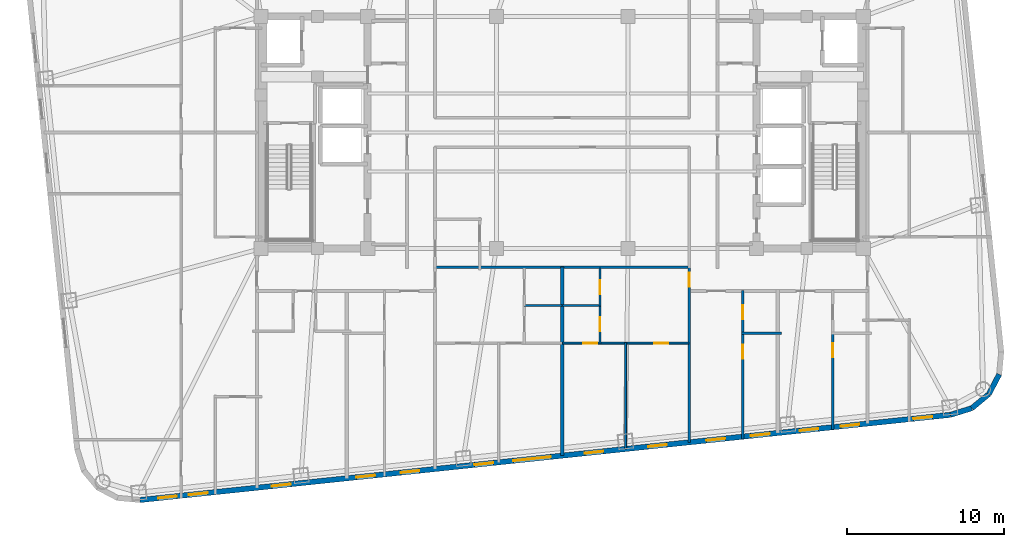
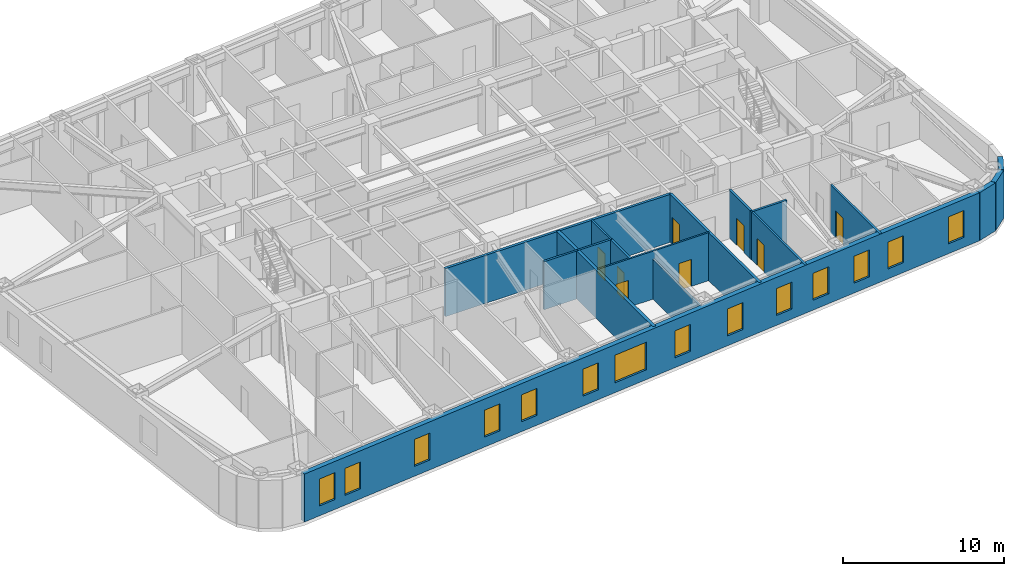
# One storey, part 5 of 12: 17 walls, 14 windows, 8 doors, 22 openings.
"""IFC4 building model written with IfcOpenShell, lengths in metres."""

from ifc_helpers import new_model, si_unit, direction, frame, frame_2d, origin, place, context, subcontext, project, spatial, rectangle, extrude, material, layer, layer_set, type_object, element, fill, save


model = new_model("IFC4")

# Units and contexts
model_context = context("Model", 3, precision=1e-05, world=origin(), true_north=direction((0.0, 1.0)))
body_context = subcontext(model_context, "Body", "Model", "MODEL_VIEW")
ifc_project = project(units=[si_unit("LENGTHUNIT", "METRE"), si_unit("AREAUNIT", "SQUARE_METRE"), si_unit("VOLUMEUNIT", "CUBIC_METRE"), si_unit("PLANEANGLEUNIT", "RADIAN"), si_unit("MASSUNIT", "GRAM", prefix="KILO")], contexts=[model_context])

# Site, building, storey
site_placement = place(None, origin())
site = spatial("IfcSite", under=ifc_project, at=site_placement, CompositionType="ELEMENT")
building_placement = place(site_placement, origin())
building = spatial("IfcBuilding", under=site, at=building_placement, Name="Voryun Gate Residences", CompositionType="ELEMENT")
storey_placement = place(building_placement, frame((0.0, 0.0, 179.39990234375)))
storey = spatial("IfcBuildingStorey", under=building, at=storey_placement, Name="L44", CompositionType="ELEMENT", Elevation=179.39990234375)

# Wall
ifc_material_1 = material(Name="Gypsum acoustic fireboard")
ifc_layer_1 = layer(ifc_material_1, 0.179931640625, Name="W_CORR_RATED_180")
ifc_layer_set_1 = layer_set([ifc_layer_1], Name="Gypsum acoustic fireboard")
wall_type_1 = type_object("IfcWallType", Name="W_CORR_RATED_180", PredefinedType="PARTITIONING", material=ifc_layer_set_1)
wall_1_placement = place(storey_placement, frame((-8.14990234375, -8.590087890625, 0.0), z_axis=(0.0, 0.0, 1.0), x_axis=(1.0, 0.0, 0.0)))
element("IfcWall", 1, at=wall_1_placement, inside=storey, type_object=wall_type_1, Name="Partition wall WP-L44-Z2S", PredefinedType="PARTITIONING", context=body_context, shape_type="SweptSolid", body=[
    extrude(rectangle(XDim=16.2998046875, YDim=0.179931640625, at=frame_2d((8.14990234375, 0.0))), origin(), (0.0, 0.0, 1.0), 3.650146484375),
])

# Wall, opening, door
wall_2_placement = place(storey_placement, frame((8.10009765625, -19.75390625, 0.0), z_axis=(0.0, 0.0, 1.0), x_axis=(0.0, 1.0, 0.0)))
wall_2 = element("IfcWall", 2, at=wall_2_placement, inside=storey, type_object=wall_type_1, Name="Partition wall WP-L44-SZV-2", PredefinedType="PARTITIONING", context=body_context, shape_type="SweptSolid", body=[
    extrude(rectangle(XDim=11.163818359375, YDim=0.179931640625, at=frame_2d((5.58203125, 0.0))), origin(), (0.0, 0.0, 1.0), 3.650146484375),
])
opening_1_placement = place(wall_2_placement, frame((9.913330078125, 0.0, 0.0)))
opening_1 = element("IfcOpeningElement", 3, at=opening_1_placement, cuts=wall_2, Name="Opening D-INT-2", PredefinedType="OPENING", context=body_context, shape_type="SweptSolid", body=[
    extrude(rectangle(XDim=0.89990234375, YDim=2.050048828125, at=frame_2d((0.449951171875, 1.02490234375))), frame((0.0, 0.099853515625, 0.0), z_axis=(0.0, -1.0, 0.0), x_axis=(1.0, 0.0, 0.0)), (0.0, 0.0, 1.0), 0.199951171875),
])
ifc_material_2 = material(Name="Architectural oak veneer")
door_type = type_object("IfcDoorType", Name="DR_INT_BATH_900", OperationType="NOTDEFINED", PredefinedType="DOOR", material=ifc_material_2)
door_1_placement = place(opening_1_placement, origin())
door_1 = element("IfcDoor", 4, at=door_1_placement, inside=storey, type_object=door_type, Name="Door DR-L44-SZENT-2", OperationType="SINGLE_SWING_RIGHT", OverallHeight=2.050048828125, OverallWidth=0.89990234375, PredefinedType="DOOR", context=body_context, shape_type="SweptSolid", body=[
    extrude(rectangle(XDim=0.89990234375, YDim=2.050048828125, at=frame_2d((0.449951171875, 1.02490234375))), frame((0.0, 0.02490234375, 0.0), z_axis=(0.0, -1.0, 0.0), x_axis=(1.0, 0.0, 0.0)), (0.0, 0.0, 1.0), 0.050048828125),
])
fill(opening_1, door_1)

# Wall, openings, windows
ifc_material_3 = material(Name="Charcoal terracotta masonry", Category="masonry")
ifc_layer_2 = layer(ifc_material_3, 0.340087890625, Name="W_EXT_TERRACOTTA_340")
ifc_layer_set_2 = layer_set([ifc_layer_2], Name="Charcoal terracotta masonry")
wall_type_2 = type_object("IfcWallType", Name="W_EXT_TERRACOTTA_340", PredefinedType="ELEMENTEDWALL", material=ifc_layer_set_2)
wall_3_placement = place(storey_placement, frame((24.755615234375, -18.003173828125, 0.0), z_axis=(0.0, 0.0, 1.0), x_axis=(-0.99452160744, -0.104531202687, 0.0)))
wall_3 = element("IfcWall", 5, at=wall_3_placement, inside=storey, type_object=wall_type_2, Name="Exterior wall WEXT-L44-01", PredefinedType="ELEMENTEDWALL", context=body_context, shape_type="SweptSolid", body=[
    extrude(rectangle(XDim=51.966552734375, YDim=0.340087890625, at=frame_2d((25.9833984375, 0.0))), origin(), (0.0, 0.0, 1.0), 3.650146484375),
])
opening_2_placement = place(wall_3_placement, frame((25.63330078125, 0.0, 0.75)))
opening_2 = element("IfcOpeningElement", 6, at=opening_2_placement, cuts=wall_3, Name="Opening WN2", PredefinedType="OPENING", context=body_context, shape_type="SweptSolid", body=[
    extrude(rectangle(XDim=2.39990234375, YDim=2.10009765625, at=frame_2d((1.199951171875, 1.050048828125))), frame((0.0, 0.179931640625, 0.0), z_axis=(0.0, -1.0, 0.0), x_axis=(1.0, 0.0, 0.0)), (0.0, 0.0, 1.0), 0.360107421875),
])
opening_3_placement = place(wall_3_placement, frame((42.301025390625, 0.0, 0.75)))
opening_3 = element("IfcOpeningElement", 7, at=opening_3_placement, cuts=wall_3, Name="Opening WN6", PredefinedType="OPENING", context=body_context, shape_type="SweptSolid", body=[
    extrude(rectangle(XDim=1.199951171875, YDim=2.050048828125, at=frame_2d((0.60009765625, 1.02490234375))), frame((0.0, 0.179931640625, 0.0), z_axis=(0.0, -1.0, 0.0), x_axis=(1.0, 0.0, 0.0)), (0.0, 0.0, 1.0), 0.360107421875),
])
opening_4_placement = place(wall_3_placement, frame((34.048583984375, 0.0, 0.75)))
opening_4 = element("IfcOpeningElement", 8, at=opening_4_placement, cuts=wall_3, Name="Opening WN6", PredefinedType="OPENING", context=body_context, shape_type="SweptSolid", body=[
    extrude(rectangle(XDim=1.199951171875, YDim=2.050048828125, at=frame_2d((0.60009765625, 1.02490234375))), frame((0.0, 0.179931640625, 0.0), z_axis=(0.0, -1.0, 0.0), x_axis=(1.0, 0.0, 0.0)), (0.0, 0.0, 1.0), 0.360107421875),
])
opening_5_placement = place(wall_3_placement, frame((36.89404296875, 0.0, 0.75)))
opening_5 = element("IfcOpeningElement", 9, at=opening_5_placement, cuts=wall_3, Name="Opening WN6", PredefinedType="OPENING", context=body_context, shape_type="SweptSolid", body=[
    extrude(rectangle(XDim=1.199951171875, YDim=2.050048828125, at=frame_2d((0.60009765625, 1.02490234375))), frame((0.0, 0.179931640625, 0.0), z_axis=(0.0, -1.0, 0.0), x_axis=(1.0, 0.0, 0.0)), (0.0, 0.0, 1.0), 0.360107421875),
])
opening_6_placement = place(wall_3_placement, frame((14.43603515625, 0.0, 0.75)))
opening_6 = element("IfcOpeningElement", 10, at=opening_6_placement, cuts=wall_3, Name="Opening WN6", PredefinedType="OPENING", context=body_context, shape_type="SweptSolid", body=[
    extrude(rectangle(XDim=1.199951171875, YDim=2.050048828125, at=frame_2d((0.60009765625, 1.02490234375))), frame((0.0, 0.179931640625, 0.0), z_axis=(0.0, -1.0, 0.0), x_axis=(1.0, 0.0, 0.0)), (0.0, 0.0, 1.0), 0.360107421875),
])
opening_7_placement = place(wall_3_placement, frame((11.590576171875, 0.0, 0.75)))
opening_7 = element("IfcOpeningElement", 11, at=opening_7_placement, cuts=wall_3, Name="Opening WN6", PredefinedType="OPENING", context=body_context, shape_type="SweptSolid", body=[
    extrude(rectangle(XDim=1.199951171875, YDim=2.050048828125, at=frame_2d((0.60009765625, 1.02490234375))), frame((0.0, 0.179931640625, 0.0), z_axis=(0.0, -1.0, 0.0), x_axis=(1.0, 0.0, 0.0)), (0.0, 0.0, 1.0), 0.360107421875),
])
opening_8_placement = place(wall_3_placement, frame((8.46923828125, 0.0, 0.75)))
opening_8 = element("IfcOpeningElement", 12, at=opening_8_placement, cuts=wall_3, Name="Opening WN6", PredefinedType="OPENING", context=body_context, shape_type="SweptSolid", body=[
    extrude(rectangle(XDim=1.199951171875, YDim=2.050048828125, at=frame_2d((0.60009765625, 1.02490234375))), frame((0.0, 0.179931640625, 0.0), z_axis=(0.0, -1.0, 0.0), x_axis=(1.0, 0.0, 0.0)), (0.0, 0.0, 1.0), 0.360107421875),
])
opening_9_placement = place(wall_3_placement, frame((5.83349609375, 0.0, 0.75)))
opening_9 = element("IfcOpeningElement", 13, at=opening_9_placement, cuts=wall_3, Name="Opening WN6", PredefinedType="OPENING", context=body_context, shape_type="SweptSolid", body=[
    extrude(rectangle(XDim=1.199951171875, YDim=2.050048828125, at=frame_2d((0.60009765625, 1.02490234375))), frame((0.0, 0.179931640625, 0.0), z_axis=(0.0, -1.0, 0.0), x_axis=(1.0, 0.0, 0.0)), (0.0, 0.0, 1.0), 0.360107421875),
])
opening_10_placement = place(wall_3_placement, frame((29.31298828125, 0.0, 0.75)))
opening_10 = element("IfcOpeningElement", 14, at=opening_10_placement, cuts=wall_3, Name="Opening WN6", PredefinedType="OPENING", context=body_context, shape_type="SweptSolid", body=[
    extrude(rectangle(XDim=1.199951171875, YDim=2.050048828125, at=frame_2d((0.60009765625, 1.02490234375))), frame((0.0, 0.179931640625, 0.0), z_axis=(0.0, -1.0, 0.0), x_axis=(1.0, 0.0, 0.0)), (0.0, 0.0, 1.0), 0.360107421875),
])
opening_11_placement = place(wall_3_placement, frame((22.248291015625, 0.0, 0.75)))
opening_11 = element("IfcOpeningElement", 15, at=opening_11_placement, cuts=wall_3, Name="Opening WN6", PredefinedType="OPENING", context=body_context, shape_type="SweptSolid", body=[
    extrude(rectangle(XDim=1.199951171875, YDim=2.050048828125, at=frame_2d((0.60009765625, 1.02490234375))), frame((0.0, 0.179931640625, 0.0), z_axis=(0.0, -1.0, 0.0), x_axis=(1.0, 0.0, 0.0)), (0.0, 0.0, 1.0), 0.360107421875),
])
opening_12_placement = place(wall_3_placement, frame((18.18603515625, 0.0, 0.75)))
opening_12 = element("IfcOpeningElement", 16, at=opening_12_placement, cuts=wall_3, Name="Opening WN6", PredefinedType="OPENING", context=body_context, shape_type="SweptSolid", body=[
    extrude(rectangle(XDim=1.199951171875, YDim=2.050048828125, at=frame_2d((0.60009765625, 1.02490234375))), frame((0.0, 0.179931640625, 0.0), z_axis=(0.0, -1.0, 0.0), x_axis=(1.0, 0.0, 0.0)), (0.0, 0.0, 1.0), 0.360107421875),
])
opening_13_placement = place(wall_3_placement, frame((47.62744140625, 0.0, 0.75)))
opening_13 = element("IfcOpeningElement", 17, at=opening_13_placement, cuts=wall_3, Name="Opening WN6", PredefinedType="OPENING", context=body_context, shape_type="SweptSolid", body=[
    extrude(rectangle(XDim=1.199951171875, YDim=2.050048828125, at=frame_2d((0.60009765625, 1.02490234375))), frame((0.0, 0.179931640625, 0.0), z_axis=(0.0, -1.0, 0.0), x_axis=(1.0, 0.0, 0.0)), (0.0, 0.0, 1.0), 0.360107421875),
])
opening_14_placement = place(wall_3_placement, frame((49.5986328125, 0.0, 0.75)))
opening_14 = element("IfcOpeningElement", 18, at=opening_14_placement, cuts=wall_3, Name="Opening WN6", PredefinedType="OPENING", context=body_context, shape_type="SweptSolid", body=[
    extrude(rectangle(XDim=1.199951171875, YDim=2.050048828125, at=frame_2d((0.60009765625, 1.02490234375))), frame((0.0, 0.179931640625, 0.0), z_axis=(0.0, -1.0, 0.0), x_axis=(1.0, 0.0, 0.0)), (0.0, 0.0, 1.0), 0.360107421875),
])
opening_15_placement = place(wall_3_placement, frame((1.170166015625, 0.0, 0.75)))
opening_15 = element("IfcOpeningElement", 19, at=opening_15_placement, cuts=wall_3, Name="Opening WN6", PredefinedType="OPENING", context=body_context, shape_type="SweptSolid", body=[
    extrude(rectangle(XDim=1.199951171875, YDim=2.050048828125, at=frame_2d((0.60009765625, 1.02490234375))), frame((0.0, 0.179931640625, 0.0), z_axis=(0.0, -1.0, 0.0), x_axis=(1.0, 0.0, 0.0)), (0.0, 0.0, 1.0), 0.360107421875),
])
ifc_material_4 = material(Name="Laminated low-E glass", Category="glass")
window_type_1 = type_object("IfcWindowType", Name="WN_POD_SLOT_1200", PartitioningType="SINGLE_PANEL", PredefinedType="WINDOW", material=ifc_material_4)
window_1_placement = place(opening_3_placement, origin())
window_1 = element("IfcWindow", 20, at=window_1_placement, inside=storey, type_object=window_type_1, Name="Window WN-L44-DWFIX-10", OverallHeight=2.050048828125, OverallWidth=1.199951171875, PartitioningType="SINGLE_PANEL", PredefinedType="WINDOW", context=body_context, shape_type="SweptSolid", body=[
    extrude(rectangle(XDim=1.199951171875, YDim=2.050048828125, at=frame_2d((0.60009765625, 1.02490234375))), frame((0.0, 0.030029296875, 0.0), z_axis=(0.0, -1.0, 0.0), x_axis=(1.0, 0.0, 0.0)), (0.0, 0.0, 1.0), 0.06005859375),
])
fill(opening_3, window_1)
window_2_placement = place(opening_4_placement, origin())
window_2 = element("IfcWindow", 21, at=window_2_placement, inside=storey, type_object=window_type_1, Name="Window WN-L44-DWFIX-11", OverallHeight=2.050048828125, OverallWidth=1.199951171875, PartitioningType="SINGLE_PANEL", PredefinedType="WINDOW", context=body_context, shape_type="SweptSolid", body=[
    extrude(rectangle(XDim=1.199951171875, YDim=2.050048828125, at=frame_2d((0.60009765625, 1.02490234375))), frame((0.0, 0.030029296875, 0.0), z_axis=(0.0, -1.0, 0.0), x_axis=(1.0, 0.0, 0.0)), (0.0, 0.0, 1.0), 0.06005859375),
])
fill(opening_4, window_2)
window_3_placement = place(opening_5_placement, origin())
window_3 = element("IfcWindow", 22, at=window_3_placement, inside=storey, type_object=window_type_1, Name="Window WN-L44-DWFIX-12", OverallHeight=2.050048828125, OverallWidth=1.199951171875, PartitioningType="SINGLE_PANEL", PredefinedType="WINDOW", context=body_context, shape_type="SweptSolid", body=[
    extrude(rectangle(XDim=1.199951171875, YDim=2.050048828125, at=frame_2d((0.60009765625, 1.02490234375))), frame((0.0, 0.030029296875, 0.0), z_axis=(0.0, -1.0, 0.0), x_axis=(1.0, 0.0, 0.0)), (0.0, 0.0, 1.0), 0.06005859375),
])
fill(opening_5, window_3)
window_4_placement = place(opening_6_placement, origin())
window_4 = element("IfcWindow", 23, at=window_4_placement, inside=storey, type_object=window_type_1, Name="Window WN-L44-DWFIX-13", OverallHeight=2.050048828125, OverallWidth=1.199951171875, PartitioningType="SINGLE_PANEL", PredefinedType="WINDOW", context=body_context, shape_type="SweptSolid", body=[
    extrude(rectangle(XDim=1.199951171875, YDim=2.050048828125, at=frame_2d((0.60009765625, 1.02490234375))), frame((0.0, 0.030029296875, 0.0), z_axis=(0.0, -1.0, 0.0), x_axis=(1.0, 0.0, 0.0)), (0.0, 0.0, 1.0), 0.06005859375),
])
fill(opening_6, window_4)
window_5_placement = place(opening_7_placement, origin())
window_5 = element("IfcWindow", 24, at=window_5_placement, inside=storey, type_object=window_type_1, Name="Window WN-L44-DWFIX-14", OverallHeight=2.050048828125, OverallWidth=1.199951171875, PartitioningType="SINGLE_PANEL", PredefinedType="WINDOW", context=body_context, shape_type="SweptSolid", body=[
    extrude(rectangle(XDim=1.199951171875, YDim=2.050048828125, at=frame_2d((0.60009765625, 1.02490234375))), frame((0.0, 0.030029296875, 0.0), z_axis=(0.0, -1.0, 0.0), x_axis=(1.0, 0.0, 0.0)), (0.0, 0.0, 1.0), 0.06005859375),
])
fill(opening_7, window_5)
window_6_placement = place(opening_8_placement, origin())
window_6 = element("IfcWindow", 25, at=window_6_placement, inside=storey, type_object=window_type_1, Name="Window WN-L44-DWFIX-15", OverallHeight=2.050048828125, OverallWidth=1.199951171875, PartitioningType="SINGLE_PANEL", PredefinedType="WINDOW", context=body_context, shape_type="SweptSolid", body=[
    extrude(rectangle(XDim=1.199951171875, YDim=2.050048828125, at=frame_2d((0.60009765625, 1.02490234375))), frame((0.0, 0.030029296875, 0.0), z_axis=(0.0, -1.0, 0.0), x_axis=(1.0, 0.0, 0.0)), (0.0, 0.0, 1.0), 0.06005859375),
])
fill(opening_8, window_6)
window_7_placement = place(opening_9_placement, origin())
window_7 = element("IfcWindow", 26, at=window_7_placement, inside=storey, type_object=window_type_1, Name="Window WN-L44-DWFIX-16", OverallHeight=2.050048828125, OverallWidth=1.199951171875, PartitioningType="SINGLE_PANEL", PredefinedType="WINDOW", context=body_context, shape_type="SweptSolid", body=[
    extrude(rectangle(XDim=1.199951171875, YDim=2.050048828125, at=frame_2d((0.60009765625, 1.02490234375))), frame((0.0, 0.030029296875, 0.0), z_axis=(0.0, -1.0, 0.0), x_axis=(1.0, 0.0, 0.0)), (0.0, 0.0, 1.0), 0.06005859375),
])
fill(opening_9, window_7)
window_8_placement = place(opening_10_placement, origin())
window_8 = element("IfcWindow", 27, at=window_8_placement, inside=storey, type_object=window_type_1, Name="Window WN-L44-DWFIX-17", OverallHeight=2.050048828125, OverallWidth=1.199951171875, PartitioningType="SINGLE_PANEL", PredefinedType="WINDOW", context=body_context, shape_type="SweptSolid", body=[
    extrude(rectangle(XDim=1.199951171875, YDim=2.050048828125, at=frame_2d((0.60009765625, 1.02490234375))), frame((0.0, 0.030029296875, 0.0), z_axis=(0.0, -1.0, 0.0), x_axis=(1.0, 0.0, 0.0)), (0.0, 0.0, 1.0), 0.06005859375),
])
fill(opening_10, window_8)
window_9_placement = place(opening_11_placement, origin())
window_9 = element("IfcWindow", 28, at=window_9_placement, inside=storey, type_object=window_type_1, Name="Window WN-L44-DWFIX-18", OverallHeight=2.050048828125, OverallWidth=1.199951171875, PartitioningType="SINGLE_PANEL", PredefinedType="WINDOW", context=body_context, shape_type="SweptSolid", body=[
    extrude(rectangle(XDim=1.199951171875, YDim=2.050048828125, at=frame_2d((0.60009765625, 1.02490234375))), frame((0.0, 0.030029296875, 0.0), z_axis=(0.0, -1.0, 0.0), x_axis=(1.0, 0.0, 0.0)), (0.0, 0.0, 1.0), 0.06005859375),
])
fill(opening_11, window_9)
window_10_placement = place(opening_12_placement, origin())
window_10 = element("IfcWindow", 29, at=window_10_placement, inside=storey, type_object=window_type_1, Name="Window WN-L44-DWFIX-19", OverallHeight=2.050048828125, OverallWidth=1.199951171875, PartitioningType="SINGLE_PANEL", PredefinedType="WINDOW", context=body_context, shape_type="SweptSolid", body=[
    extrude(rectangle(XDim=1.199951171875, YDim=2.050048828125, at=frame_2d((0.60009765625, 1.02490234375))), frame((0.0, 0.030029296875, 0.0), z_axis=(0.0, -1.0, 0.0), x_axis=(1.0, 0.0, 0.0)), (0.0, 0.0, 1.0), 0.06005859375),
])
fill(opening_12, window_10)
window_11_placement = place(opening_13_placement, origin())
window_11 = element("IfcWindow", 30, at=window_11_placement, inside=storey, type_object=window_type_1, Name="Window WN-L44-DWFIX-20", OverallHeight=2.050048828125, OverallWidth=1.199951171875, PartitioningType="SINGLE_PANEL", PredefinedType="WINDOW", context=body_context, shape_type="SweptSolid", body=[
    extrude(rectangle(XDim=1.199951171875, YDim=2.050048828125, at=frame_2d((0.60009765625, 1.02490234375))), frame((0.0, 0.030029296875, 0.0), z_axis=(0.0, -1.0, 0.0), x_axis=(1.0, 0.0, 0.0)), (0.0, 0.0, 1.0), 0.06005859375),
])
fill(opening_13, window_11)
window_12_placement = place(opening_14_placement, origin())
window_12 = element("IfcWindow", 31, at=window_12_placement, inside=storey, type_object=window_type_1, Name="Window WN-L44-DWFIX-22", OverallHeight=2.050048828125, OverallWidth=1.199951171875, PartitioningType="SINGLE_PANEL", PredefinedType="WINDOW", context=body_context, shape_type="SweptSolid", body=[
    extrude(rectangle(XDim=1.199951171875, YDim=2.050048828125, at=frame_2d((0.60009765625, 1.02490234375))), frame((0.0, 0.030029296875, 0.0), z_axis=(0.0, -1.0, 0.0), x_axis=(1.0, 0.0, 0.0)), (0.0, 0.0, 1.0), 0.06005859375),
])
fill(opening_14, window_12)
window_13_placement = place(opening_15_placement, origin())
window_13 = element("IfcWindow", 32, at=window_13_placement, inside=storey, type_object=window_type_1, Name="Window WN-L44-DWFIX-26", OverallHeight=2.050048828125, OverallWidth=1.199951171875, PartitioningType="SINGLE_PANEL", PredefinedType="WINDOW", context=body_context, shape_type="SweptSolid", body=[
    extrude(rectangle(XDim=1.199951171875, YDim=2.050048828125, at=frame_2d((0.60009765625, 1.02490234375))), frame((0.0, 0.030029296875, 0.0), z_axis=(0.0, -1.0, 0.0), x_axis=(1.0, 0.0, 0.0)), (0.0, 0.0, 1.0), 0.06005859375),
])
fill(opening_15, window_13)
ifc_material_5 = material(Name="Laminated low-E glass", Category="glass")
window_type_2 = type_object("IfcWindowType", Name="WN_RES_WIDE_2400", PartitioningType="SINGLE_PANEL", PredefinedType="WINDOW", material=ifc_material_5)
window_14_placement = place(opening_2_placement, origin())
window_14 = element("IfcWindow", 33, at=window_14_placement, inside=storey, type_object=window_type_2, Name="Window WN-WEXT-L44-01-02", OverallHeight=2.10009765625, OverallWidth=2.39990234375, PartitioningType="SINGLE_PANEL", PredefinedType="WINDOW", context=body_context, shape_type="SweptSolid", body=[
    extrude(rectangle(XDim=2.39990234375, YDim=2.10009765625, at=frame_2d((1.199951171875, 1.050048828125))), frame((0.0, 0.030029296875, 0.0), z_axis=(0.0, -1.0, 0.0), x_axis=(1.0, 0.0, 0.0)), (0.0, 0.0, 1.0), 0.06005859375),
])
fill(opening_2, window_14)

# Walls
for number, where, z_axis, x_axis, name in (
    (34, (27.8701171875, -15.42138671875, 0.0), (0.0, 0.0, 1.0), (-0.465682431293, -0.884951904447, 0.0), "Exterior wall WEXT-L44-18"),
    (35, (27.211181640625, -16.673583984375, 0.0), (0.0, 0.0, 1.0), (-0.768758372808, -0.639539337522, 0.0), "Exterior wall WEXT-L44-19"),
):
    element("IfcWall", number, at=place(storey_placement, frame(where, z_axis=z_axis, x_axis=x_axis)), inside=storey, type_object=wall_type_2, Name=name, PredefinedType="ELEMENTEDWALL", context=body_context, shape_type="SweptSolid", body=[
        extrude(rectangle(XDim=1.4150390625, YDim=0.340087890625, at=frame_2d((0.70751953125, 0.0))), origin(), (0.0, 0.0, 1.0), 3.650146484375),
    ])
wall_4_placement = place(storey_placement, frame((26.123291015625, -17.57861328125, 0.0), z_axis=(0.0, 0.0, 1.0), x_axis=(-0.955042500381, -0.296468923271, 0.0)))
element("IfcWall", 36, at=wall_4_placement, inside=storey, type_object=wall_type_2, Name="Exterior wall WEXT-L44-20", PredefinedType="ELEMENTEDWALL", context=body_context, shape_type="SweptSolid", body=[
    extrude(rectangle(XDim=1.43212890625, YDim=0.340087890625, at=frame_2d((0.716064453125, 0.0))), origin(), (0.0, 0.0, 1.0), 3.650146484375),
])
ifc_material_6 = material(Name="Concrete C40/50", Category="concrete")
ifc_layer_3 = layer(ifc_material_6, 0.219970703125, Name="W_PARTY_ACOUSTIC_220")
ifc_layer_set_3 = layer_set([ifc_layer_3], Name="Concrete C40/50")
wall_type_3 = type_object("IfcWallType", Name="W_PARTY_ACOUSTIC_220", PredefinedType="PARTITIONING", material=ifc_layer_set_3)
wall_5_placement = place(storey_placement, frame((0.0, -20.60498046875, 0.0), z_axis=(0.0, 0.0, 1.0), x_axis=(0.0, 1.0, 0.0)))
element("IfcWall", 37, at=wall_5_placement, inside=storey, type_object=wall_type_3, Name="Partition wall WP-L44-SZMID", PredefinedType="PARTITIONING", context=body_context, shape_type="SweptSolid", body=[
    extrude(rectangle(XDim=12.014892578125, YDim=0.219970703125, at=frame_2d((6.00732421875, 0.0))), origin(), (0.0, 0.0, 1.0), 3.650146484375),
])

# Wall, openings, doors
ifc_material_7 = material(Name="Gypsum acoustic partition")
ifc_layer_4 = layer(ifc_material_7, 0.125, Name="W_UNIT_PART_125")
ifc_layer_set_4 = layer_set([ifc_layer_4], Name="Gypsum acoustic partition")
wall_type_4 = type_object("IfcWallType", Name="W_UNIT_PART_125", PredefinedType="PARTITIONING", material=ifc_layer_set_4)
wall_6_placement = place(storey_placement, frame((0.02001953125, -13.429931640625, 0.0), z_axis=(0.0, 0.0, 1.0), x_axis=(1.0, 0.0, 0.0)))
wall_6 = element("IfcWall", 38, at=wall_6_placement, inside=storey, type_object=wall_type_4, Name="Partition wall WP-L44-SC2-HZ", PredefinedType="PARTITIONING", context=body_context, shape_type="SweptSolid", body=[
    extrude(rectangle(XDim=8.06005859375, YDim=0.125, at=frame_2d((4.030029296875, 0.0))), origin(), (0.0, 0.0, 1.0), 3.650146484375),
])
opening_16_placement = place(wall_6_placement, frame((1.3232421875, 0.0, 0.0)))
opening_16 = element("IfcOpeningElement", 39, at=opening_16_placement, cuts=wall_6, Name="Opening D-INT-2", PredefinedType="OPENING", context=body_context, shape_type="SweptSolid", body=[
    extrude(rectangle(XDim=0.89990234375, YDim=2.050048828125, at=frame_2d((0.449951171875, 1.02490234375))), frame((0.0, 0.072509765625, 0.0), z_axis=(0.0, -1.0, 0.0), x_axis=(1.0, 0.0, 0.0)), (0.0, 0.0, 1.0), 0.14501953125),
])
opening_17_placement = place(wall_6_placement, frame((5.8369140625, 0.0, 0.0)))
opening_17 = element("IfcOpeningElement", 40, at=opening_17_placement, cuts=wall_6, Name="Opening D-INT-2", PredefinedType="OPENING", context=body_context, shape_type="SweptSolid", body=[
    extrude(rectangle(XDim=0.89990234375, YDim=2.050048828125, at=frame_2d((0.449951171875, 1.02490234375))), frame((0.0, 0.072509765625, 0.0), z_axis=(0.0, -1.0, 0.0), x_axis=(1.0, 0.0, 0.0)), (0.0, 0.0, 1.0), 0.14501953125),
])
door_2_placement = place(opening_16_placement, origin())
door_2 = element("IfcDoor", 41, at=door_2_placement, inside=storey, type_object=door_type, Name="Door DR-L44-SC2-DMB", OperationType="SINGLE_SWING_LEFT", OverallHeight=2.050048828125, OverallWidth=0.89990234375, PredefinedType="DOOR", context=body_context, shape_type="SweptSolid", body=[
    extrude(rectangle(XDim=0.89990234375, YDim=2.050048828125, at=frame_2d((0.449951171875, 1.02490234375))), frame((0.0, 0.02490234375, 0.0), z_axis=(0.0, -1.0, 0.0), x_axis=(1.0, 0.0, 0.0)), (0.0, 0.0, 1.0), 0.050048828125),
])
fill(opening_16, door_2)
door_3_placement = place(opening_17_placement, origin())
door_3 = element("IfcDoor", 42, at=door_3_placement, inside=storey, type_object=door_type, Name="Door DR-L44-SC2-DBD2", OperationType="SINGLE_SWING_RIGHT", OverallHeight=2.050048828125, OverallWidth=0.89990234375, PredefinedType="DOOR", context=body_context, shape_type="SweptSolid", body=[
    extrude(rectangle(XDim=0.89990234375, YDim=2.050048828125, at=frame_2d((0.449951171875, 1.02490234375))), frame((0.0, 0.02490234375, 0.0), z_axis=(0.0, -1.0, 0.0), x_axis=(1.0, 0.0, 0.0)), (0.0, 0.0, 1.0), 0.050048828125),
])
fill(opening_17, door_3)

# Wall, opening, door
wall_7_placement = place(storey_placement, frame((2.409912109375, -11.06005859375, 0.0), z_axis=(0.0, 0.0, 1.0), x_axis=(0.0, 1.0, 0.0)))
wall_7 = element("IfcWall", 43, at=wall_7_placement, inside=storey, type_object=wall_type_4, Name="Partition wall WP-L44-SC2-VK1", PredefinedType="PARTITIONING", context=body_context, shape_type="SweptSolid", body=[
    extrude(rectangle(XDim=2.41015625, YDim=0.125, at=frame_2d((1.205078125, 0.0))), origin(), (0.0, 0.0, 1.0), 3.650146484375),
])
opening_18_placement = place(wall_7_placement, frame((0.7548828125, 0.0, 0.0)))
opening_18 = element("IfcOpeningElement", 44, at=opening_18_placement, cuts=wall_7, Name="Opening D-INT-2", PredefinedType="OPENING", context=body_context, shape_type="SweptSolid", body=[
    extrude(rectangle(XDim=0.89990234375, YDim=2.050048828125, at=frame_2d((0.449951171875, 1.02490234375))), frame((0.0, 0.072509765625, 0.0), z_axis=(0.0, -1.0, 0.0), x_axis=(1.0, 0.0, 0.0)), (0.0, 0.0, 1.0), 0.14501953125),
])
door_4_placement = place(opening_18_placement, origin())
door_4 = element("IfcDoor", 45, at=door_4_placement, inside=storey, type_object=door_type, Name="Door DR-L44-SC2-DK", OperationType="SINGLE_SWING_LEFT", OverallHeight=2.050048828125, OverallWidth=0.89990234375, PredefinedType="DOOR", context=body_context, shape_type="SweptSolid", body=[
    extrude(rectangle(XDim=0.89990234375, YDim=2.050048828125, at=frame_2d((0.449951171875, 1.02490234375))), frame((0.0, 0.02490234375, 0.0), z_axis=(0.0, -1.0, 0.0), x_axis=(1.0, 0.0, 0.0)), (0.0, 0.0, 1.0), 0.050048828125),
])
fill(opening_18, door_4)

# Walls
wall_8_placement = place(storey_placement, frame((4.050048828125, -20.179443359375, 0.0), z_axis=(0.0, 0.0, 1.0), x_axis=(0.0, 1.0, 0.0)))
element("IfcWall", 46, at=wall_8_placement, inside=storey, type_object=wall_type_4, Name="Partition wall WP-L44-SC2-VBD", PredefinedType="PARTITIONING", context=body_context, shape_type="SweptSolid", body=[
    extrude(rectangle(XDim=6.78955078125, YDim=0.125, at=frame_2d((3.394775390625, 0.0))), origin(), (0.0, 0.0, 1.0), 3.0400390625),
])
ifc_material_8 = material(Name="Gypsum moisture-resistant partition")
ifc_layer_5 = layer(ifc_material_8, 0.14990234375, Name="W_WET_PLUMB_150")
ifc_layer_set_5 = layer_set([ifc_layer_5], Name="Gypsum moisture-resistant partition")
wall_type_5 = type_object("IfcWallType", Name="W_WET_PLUMB_150", PredefinedType="PLUMBINGWALL", material=ifc_layer_set_5)
wall_9_placement = place(storey_placement, frame((11.43896484375, -12.800048828125, 0.0), z_axis=(0.0, 0.0, 1.0), x_axis=(1.0, 0.0, 0.0)))
element("IfcWall", 47, at=wall_9_placement, inside=storey, type_object=wall_type_5, Name="Partition wall WP-L44-S4-SKB", PredefinedType="PLUMBINGWALL", context=body_context, shape_type="SweptSolid", body=[
    extrude(rectangle(XDim=2.56103515625, YDim=0.14990234375, at=frame_2d((1.280517578125, 0.0))), origin(), (0.0, 0.0, 1.0), 3.650146484375),
])

# Wall, opening, door
wall_10_placement = place(storey_placement, frame((11.51904296875, -19.545166015625, 0.0), z_axis=(0.0, 0.0, 1.0), x_axis=(0.0, 1.0, 0.0)))
wall_10 = element("IfcWall", 48, at=wall_10_placement, inside=storey, type_object=wall_type_5, Name="Partition wall WP-L44-S4-SVT1", PredefinedType="PLUMBINGWALL", context=body_context, shape_type="SweptSolid", body=[
    extrude(rectangle(XDim=6.78515625, YDim=0.14990234375, at=frame_2d((3.392578125, 0.0))), origin(), (0.0, 0.0, 1.0), 3.650146484375),
])
opening_19_placement = place(wall_10_placement, frame((5.114013671875, 0.0, 0.0)))
opening_19 = element("IfcOpeningElement", 49, at=opening_19_placement, cuts=wall_10, Name="Opening D-INT-2", PredefinedType="OPENING", context=body_context, shape_type="SweptSolid", body=[
    extrude(rectangle(XDim=0.89990234375, YDim=2.050048828125, at=frame_2d((0.449951171875, 1.02490234375))), frame((0.0, 0.0849609375, 0.0), z_axis=(0.0, -1.0, 0.0), x_axis=(1.0, 0.0, 0.0)), (0.0, 0.0, 1.0), 0.169921875),
])
door_5_placement = place(opening_19_placement, origin())
door_5 = element("IfcDoor", 50, at=door_5_placement, inside=storey, type_object=door_type, Name="Door DR-L44-S4-DK", OperationType="SINGLE_SWING_LEFT", OverallHeight=2.050048828125, OverallWidth=0.89990234375, PredefinedType="DOOR", context=body_context, shape_type="SweptSolid", body=[
    extrude(rectangle(XDim=0.89990234375, YDim=2.050048828125, at=frame_2d((0.449951171875, 1.02490234375))), frame((0.0, 0.02490234375, 0.0), z_axis=(0.0, -1.0, 0.0), x_axis=(1.0, 0.0, 0.0)), (0.0, 0.0, 1.0), 0.050048828125),
])
fill(opening_19, door_5)

wall_11_placement = place(storey_placement, frame((11.51904296875, -12.840087890625, 0.0), z_axis=(0.0, 0.0, 1.0), x_axis=(0.0, 1.0, 0.0)))
wall_11 = element("IfcWall", 51, at=wall_11_placement, inside=storey, type_object=wall_type_5, Name="Partition wall WP-L44-S4-SVT2", PredefinedType="PLUMBINGWALL", context=body_context, shape_type="SweptSolid", body=[
    extrude(rectangle(XDim=2.760009765625, YDim=0.14990234375, at=frame_2d((1.3798828125, 0.0))), origin(), (0.0, 0.0, 1.0), 3.650146484375),
])
opening_20_placement = place(wall_11_placement, frame((0.929931640625, 0.0, 0.0)))
opening_20 = element("IfcOpeningElement", 52, at=opening_20_placement, cuts=wall_11, Name="Opening D-INT-2", PredefinedType="OPENING", context=body_context, shape_type="SweptSolid", body=[
    extrude(rectangle(XDim=0.89990234375, YDim=2.050048828125, at=frame_2d((0.449951171875, 1.02490234375))), frame((0.0, 0.0849609375, 0.0), z_axis=(0.0, -1.0, 0.0), x_axis=(1.0, 0.0, 0.0)), (0.0, 0.0, 1.0), 0.169921875),
])
door_6_placement = place(opening_20_placement, origin())
door_6 = element("IfcDoor", 53, at=door_6_placement, inside=storey, type_object=door_type, Name="Door DR-L44-S4-DB", OperationType="SINGLE_SWING_RIGHT", OverallHeight=2.050048828125, OverallWidth=0.89990234375, PredefinedType="DOOR", context=body_context, shape_type="SweptSolid", body=[
    extrude(rectangle(XDim=0.89990234375, YDim=2.050048828125, at=frame_2d((0.449951171875, 1.02490234375))), frame((0.0, 0.02490234375, 0.0), z_axis=(0.0, -1.0, 0.0), x_axis=(1.0, 0.0, 0.0)), (0.0, 0.0, 1.0), 0.050048828125),
])
fill(opening_20, door_6)

wall_12_placement = place(storey_placement, frame((17.25, -18.94287109375, 0.0), z_axis=(0.0, 0.0, 1.0), x_axis=(0.0, 1.0, 0.0)))
wall_12 = element("IfcWall", 54, at=wall_12_placement, inside=storey, type_object=wall_type_5, Name="Partition wall WP-L44-S5-SVT1", PredefinedType="PLUMBINGWALL", context=body_context, shape_type="SweptSolid", body=[
    extrude(rectangle(XDim=6.182861328125, YDim=0.14990234375, at=frame_2d((3.09130859375, 0.0))), origin(), (0.0, 0.0, 1.0), 3.650146484375),
])
opening_21_placement = place(wall_12_placement, frame((4.6201171875, 0.0, 0.0)))
opening_21 = element("IfcOpeningElement", 55, at=opening_21_placement, cuts=wall_12, Name="Opening D-INT-2", PredefinedType="OPENING", context=body_context, shape_type="SweptSolid", body=[
    extrude(rectangle(XDim=0.89990234375, YDim=2.050048828125, at=frame_2d((0.449951171875, 1.02490234375))), frame((0.0, 0.0849609375, 0.0), z_axis=(0.0, -1.0, 0.0), x_axis=(1.0, 0.0, 0.0)), (0.0, 0.0, 1.0), 0.169921875),
])
door_7_placement = place(opening_21_placement, origin())
door_7 = element("IfcDoor", 56, at=door_7_placement, inside=storey, type_object=door_type, Name="Door DR-L44-S5-DK", OperationType="SINGLE_SWING_LEFT", OverallHeight=2.050048828125, OverallWidth=0.89990234375, PredefinedType="DOOR", context=body_context, shape_type="SweptSolid", body=[
    extrude(rectangle(XDim=0.89990234375, YDim=2.050048828125, at=frame_2d((0.449951171875, 1.02490234375))), frame((0.0, 0.02490234375, 0.0), z_axis=(0.0, -1.0, 0.0), x_axis=(1.0, 0.0, 0.0)), (0.0, 0.0, 1.0), 0.050048828125),
])
fill(opening_21, door_7)

# Wall
wall_13_placement = place(storey_placement, frame((-2.449951171875, -11.030029296875, 0.0), z_axis=(0.0, 0.0, 1.0), x_axis=(1.0, 0.0, 0.0)))
element("IfcWall", 57, at=wall_13_placement, inside=storey, type_object=wall_type_5, Name="Partition wall WP-L44-SC1-HKB", PredefinedType="PLUMBINGWALL", context=body_context, shape_type="SweptSolid", body=[
    extrude(rectangle(XDim=2.429931640625, YDim=0.14990234375, at=frame_2d((1.21484375, 0.0))), origin(), (0.0, 0.0, 1.0), 3.650146484375),
])

# Wall, opening, door
wall_14_placement = place(storey_placement, frame((2.409912109375, -13.469970703125, 0.0), z_axis=(0.0, 0.0, 1.0), x_axis=(0.0, 1.0, 0.0)))
wall_14 = element("IfcWall", 58, at=wall_14_placement, inside=storey, type_object=wall_type_5, Name="Partition wall WP-L44-SC2-VK2", PredefinedType="PLUMBINGWALL", context=body_context, shape_type="SweptSolid", body=[
    extrude(rectangle(XDim=2.469970703125, YDim=0.14990234375, at=frame_2d((1.23486328125, 0.0))), origin(), (0.0, 0.0, 1.0), 3.650146484375),
])
opening_22_placement = place(wall_14_placement, frame((0.784912109375, 0.0, 0.0)))
opening_22 = element("IfcOpeningElement", 59, at=opening_22_placement, cuts=wall_14, Name="Opening D-INT-2", PredefinedType="OPENING", context=body_context, shape_type="SweptSolid", body=[
    extrude(rectangle(XDim=0.89990234375, YDim=2.050048828125, at=frame_2d((0.449951171875, 1.02490234375))), frame((0.0, 0.0849609375, 0.0), z_axis=(0.0, -1.0, 0.0), x_axis=(1.0, 0.0, 0.0)), (0.0, 0.0, 1.0), 0.169921875),
])
door_8_placement = place(opening_22_placement, origin())
door_8 = element("IfcDoor", 60, at=door_8_placement, inside=storey, type_object=door_type, Name="Door DR-L44-SC2-DB", OperationType="SINGLE_SWING_RIGHT", OverallHeight=2.050048828125, OverallWidth=0.89990234375, PredefinedType="DOOR", context=body_context, shape_type="SweptSolid", body=[
    extrude(rectangle(XDim=0.89990234375, YDim=2.050048828125, at=frame_2d((0.449951171875, 1.02490234375))), frame((0.0, 0.02490234375, 0.0), z_axis=(0.0, -1.0, 0.0), x_axis=(1.0, 0.0, 0.0)), (0.0, 0.0, 1.0), 0.050048828125),
])
fill(opening_22, door_8)

# Wall
wall_15_placement = place(storey_placement, frame((0.02001953125, -11.030029296875, 0.0), z_axis=(0.0, 0.0, 1.0), x_axis=(1.0, 0.0, 0.0)))
element("IfcWall", 61, at=wall_15_placement, inside=storey, type_object=wall_type_5, Name="Partition wall WP-L44-SC2-HKB", PredefinedType="PLUMBINGWALL", context=body_context, shape_type="SweptSolid", body=[
    extrude(rectangle(XDim=2.429931640625, YDim=0.14990234375, at=frame_2d((1.21484375, 0.0))), origin(), (0.0, 0.0, 1.0), 3.650146484375),
])

save(model, "model.ifc")
